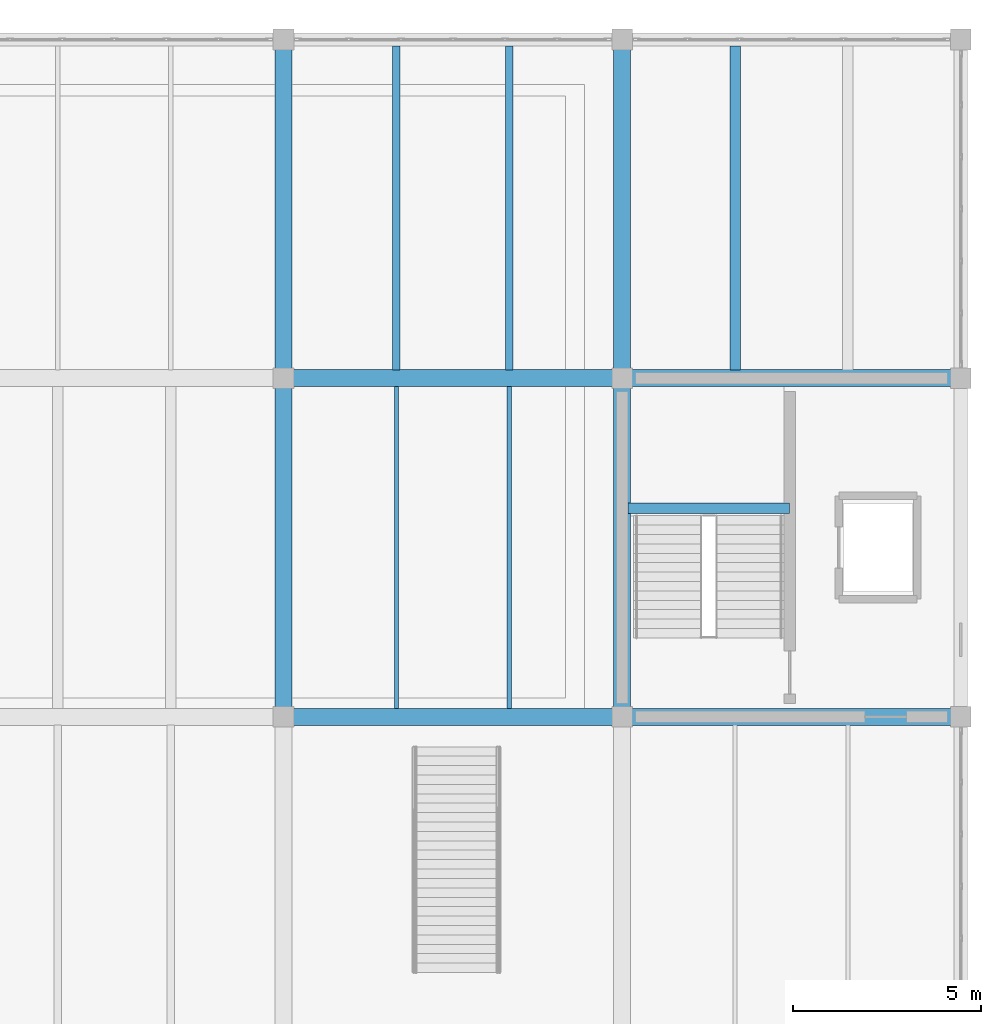
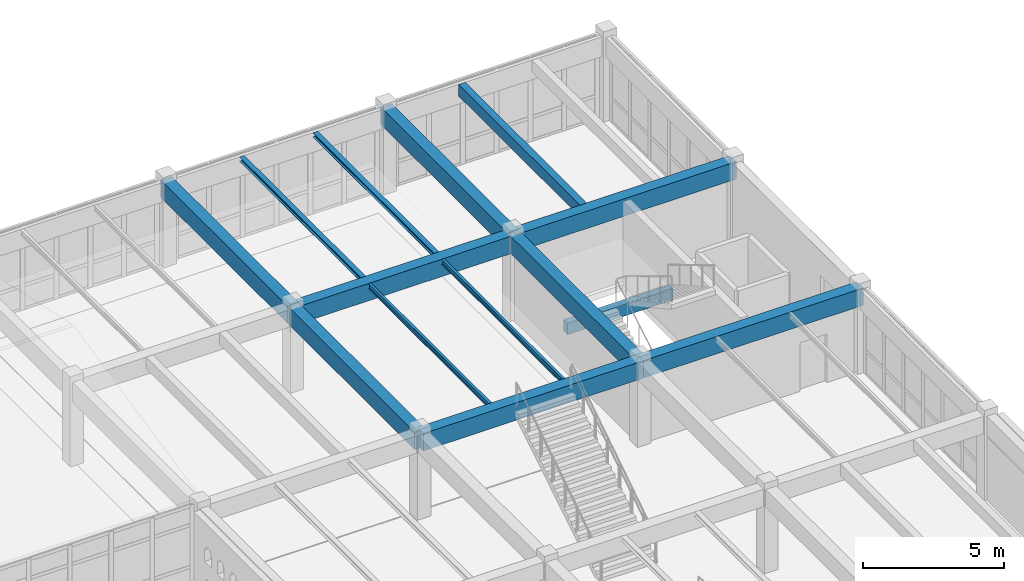
# One storey, part 98 of 156: 14 beams.
"""IFC4 building model written with IfcOpenShell, lengths in metres."""

from ifc_helpers import new_model, si_unit, direction, frame, origin, origin_2d, place, context, subcontext, project, spatial, rectangle, i_section, extrude, material, material_profile, profile_set, type_object, element, save


model = new_model("IFC4")

# Units and contexts
model_context = context("Model", 3, precision=1e-05, world=origin(), true_north=direction((0.0, 1.0)))
body_context = subcontext(model_context, "Body", "Model", "MODEL_VIEW")
ifc_project = project(units=[si_unit("LENGTHUNIT", "METRE"), si_unit("AREAUNIT", "SQUARE_METRE"), si_unit("VOLUMEUNIT", "CUBIC_METRE"), si_unit("PLANEANGLEUNIT", "RADIAN"), si_unit("MASSUNIT", "GRAM", prefix="KILO")], contexts=[model_context])

# Site, building, storey
site_placement = place(None, origin())
site = spatial("IfcSite", under=ifc_project, at=site_placement, CompositionType="ELEMENT")
building_placement = place(site_placement, origin())
building = spatial("IfcBuilding", under=site, at=building_placement, Name="Ornek Quay Market", CompositionType="ELEMENT")
storey_placement = place(building_placement, frame((0.0, 0.0, 4.5)))
storey = spatial("IfcBuildingStorey", under=building, at=storey_placement, Name="L01", CompositionType="ELEMENT", Elevation=4.5)

# Beams
ifc_material_1 = material(Name="Concrete C40/50", Category="concrete")
ifc_material_profile_1 = material_profile(ifc_material_1, rectangle(XDim=0.449951171875, YDim=0.75, at=origin_2d()), Name="RC 450x750", Category="concrete")
ifc_profile_set_1 = profile_set([ifc_material_profile_1], Name="Concrete C40/50")
beam_type_1 = type_object("IfcBeamType", Name="BM-FC-450x750", PredefinedType="BEAM", material=ifc_profile_set_1)
for number, where, z_axis, x_axis, name in (
    (1, (162.0, 92.0, 3.2548828125), (1.0, 0.0, 0.0), (0.0, 1.0, 0.0), "Primary beam B-FC1-044"),
    (2, (171.0, 92.0, 3.2548828125), (1.0, 0.0, 0.0), (0.0, 1.0, 0.0), "Primary beam B-FC1-045"),
    (3, (162.0, 101.0, 3.2548828125), (1.0, 0.0, 0.0), (0.0, 1.0, 0.0), "Primary beam B-FC1-047"),
    (4, (171.0, 101.0, 3.2548828125), (1.0, 0.0, 0.0), (0.0, 1.0, 0.0), "Primary beam B-FC1-048"),
    (5, (162.0, 92.0, 3.2548828125), (0.0, 1.0, 0.0), (-1.0, 0.0, 0.0), "Primary beam B-FC1-052"),
    (6, (162.0, 101.0, 3.2548828125), (0.0, 1.0, 0.0), (-1.0, 0.0, 0.0), "Primary beam B-FC1-053"),
    (7, (171.0, 92.0, 3.2548828125), (0.0, 1.0, 0.0), (-1.0, 0.0, 0.0), "Primary beam B-FC1-057"),
    (8, (171.0, 101.0, 3.2548828125), (0.0, 1.0, 0.0), (-1.0, 0.0, 0.0), "Primary beam B-FC1-058"),
):
    element("IfcBeam", number, at=place(storey_placement, frame(where, z_axis=z_axis, x_axis=x_axis)), inside=storey, type_object=beam_type_1, Name=name, PredefinedType="BEAM", context=body_context, shape_type="SweptSolid", body=[
        extrude(rectangle(XDim=0.449951171875, YDim=0.75, at=origin_2d()), origin(), (0.0, 0.0, 1.0), 9.0),
    ])
ifc_material_2 = material(Name="Concrete C35/45", Category="concrete")
ifc_material_profile_2 = material_profile(ifc_material_2, rectangle(XDim=0.280029296875, YDim=0.5, at=origin_2d()), Name="RC 280x500", Category="concrete")
ifc_profile_set_2 = profile_set([ifc_material_profile_2], Name="Concrete C35/45")
beam_type_2 = type_object("IfcBeamType", Name="BM-SEC-280x500", PredefinedType="JOIST", material=ifc_profile_set_2)
beam_1_placement = place(storey_placement, frame((174.0, 101.217041015625, 3.3798828125), z_axis=(0.0, 1.0, 0.0), x_axis=(-1.0, 0.0, 0.0)))
element("IfcBeam", 9, at=beam_1_placement, inside=storey, type_object=beam_type_2, Name="Secondary joist B-SC2-077", PredefinedType="JOIST", context=body_context, shape_type="SweptSolid", body=[
    extrude(rectangle(XDim=0.280029296875, YDim=0.5, at=origin_2d()), origin(), (0.0, 0.0, 1.0), 8.615966796875),
])
beam_2_placement = place(storey_placement, frame((171.14990234375, 97.5419921875, 1.534912109375), z_axis=(1.0, 0.0, 0.0), x_axis=(0.0, 1.0, 0.0)))
element("IfcBeam", 10, at=beam_2_placement, inside=storey, type_object=beam_type_2, Name="Stair landing beam BL-11", PredefinedType="JOIST", context=body_context, shape_type="SweptSolid", body=[
    extrude(rectangle(XDim=0.280029296875, YDim=0.5, at=origin_2d()), origin(), (0.0, 0.0, 1.0), 4.300048828125),
])
ifc_material_3 = material(Name="Steel S355", Category="steel")
ifc_material_profile_3 = material_profile(ifc_material_3, i_section(OverallWidth=0.199951171875, OverallDepth=0.18994140625, WebThickness=0.006591796875, FlangeThickness=0.010009765625, FilletRadius=0.01806640625, at=origin_2d()), Name="HEA 200", Category="steel")
ifc_profile_set_3 = profile_set([ifc_material_profile_3], Name="Steel S355")
beam_type_3 = type_object("IfcBeamType", Name="BM-STL-HEA200", PredefinedType="BEAM", material=ifc_profile_set_3)
for number, where, z_axis, x_axis, name in (
    (11, (165.0, 101.217041015625, 3.534912109375), (0.0, 1.0, 0.0), (-1.0, 0.0, 0.0), "Secondary joist SB-12-025"),
    (12, (168.0, 101.217041015625, 3.534912109375), (0.0, 1.0, 0.0), (-1.0, 0.0, 0.0), "Secondary joist SB-12-026"),
):
    element("IfcBeam", number, at=place(storey_placement, frame(where, z_axis=z_axis, x_axis=x_axis)), inside=storey, type_object=beam_type_3, Name=name, PredefinedType="BEAM", context=body_context, shape_type="SweptSolid", body=[
        extrude(i_section(OverallWidth=0.199951171875, OverallDepth=0.18994140625, WebThickness=0.006591796875, FlangeThickness=0.010009765625, FilletRadius=0.01806640625, at=origin_2d()), origin(), (0.0, 0.0, 1.0), 8.615966796875),
    ])
ifc_material_profile_4 = material_profile(ifc_material_3, i_section(OverallWidth=0.110107421875, OverallDepth=0.219970703125, WebThickness=0.005859375, FlangeThickness=0.00927734375, FilletRadius=0.011962890625, at=origin_2d()), Name="IPE 220", Category="steel")
ifc_profile_set_4 = profile_set([ifc_material_profile_4], Name="Steel S355")
beam_type_4 = type_object("IfcBeamType", Name="BM-STL-IPE220", PredefinedType="JOIST", material=ifc_profile_set_4)
for number, where, z_axis, x_axis, name in (
    (13, (165.0, 92.217041015625, 3.52001953125), (0.0, 1.0, 0.0), (-1.0, 0.0, 0.0), "Secondary joist SB-03-036"),
    (14, (168.0, 92.217041015625, 3.52001953125), (0.0, 1.0, 0.0), (-1.0, 0.0, 0.0), "Secondary joist SB-03-037"),
):
    element("IfcBeam", number, at=place(storey_placement, frame(where, z_axis=z_axis, x_axis=x_axis)), inside=storey, type_object=beam_type_4, Name=name, PredefinedType="JOIST", context=body_context, shape_type="SweptSolid", body=[
        extrude(i_section(OverallWidth=0.110107421875, OverallDepth=0.219970703125, WebThickness=0.005859375, FlangeThickness=0.00927734375, FilletRadius=0.011962890625, at=origin_2d()), origin(), (0.0, 0.0, 1.0), 8.56591796875),
    ])

save(model, "model.ifc")
